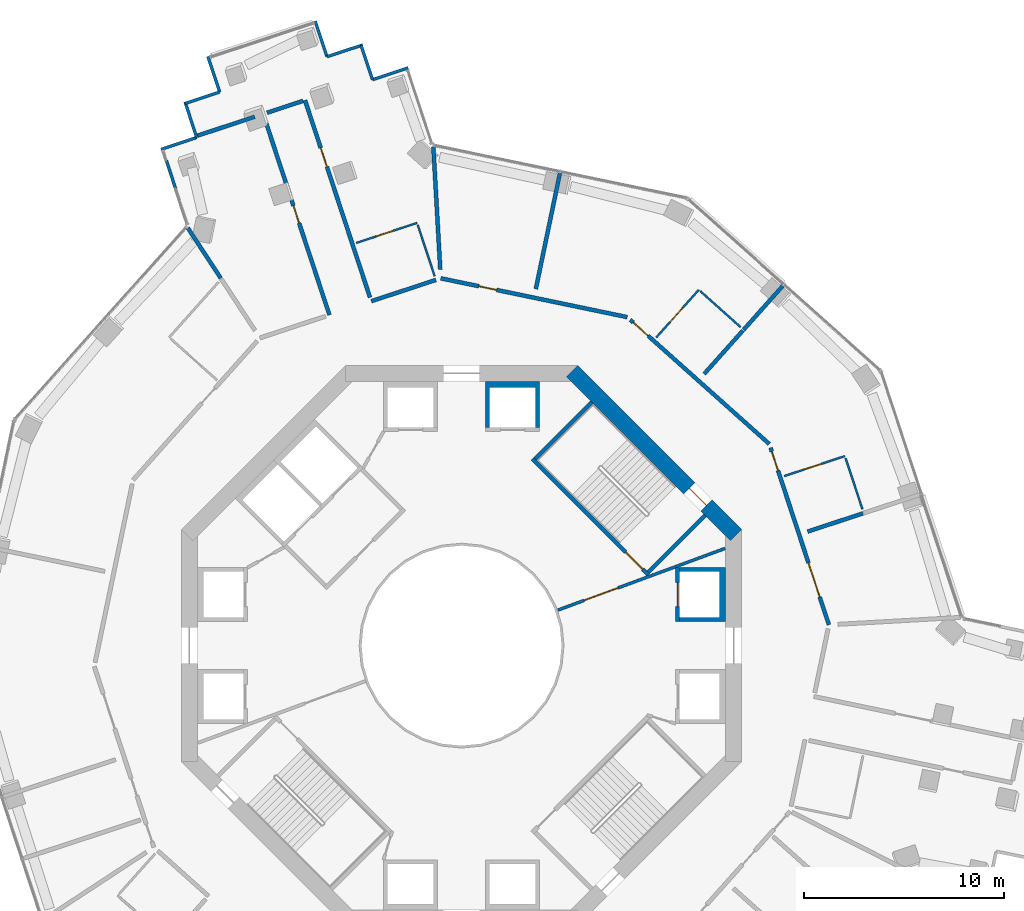
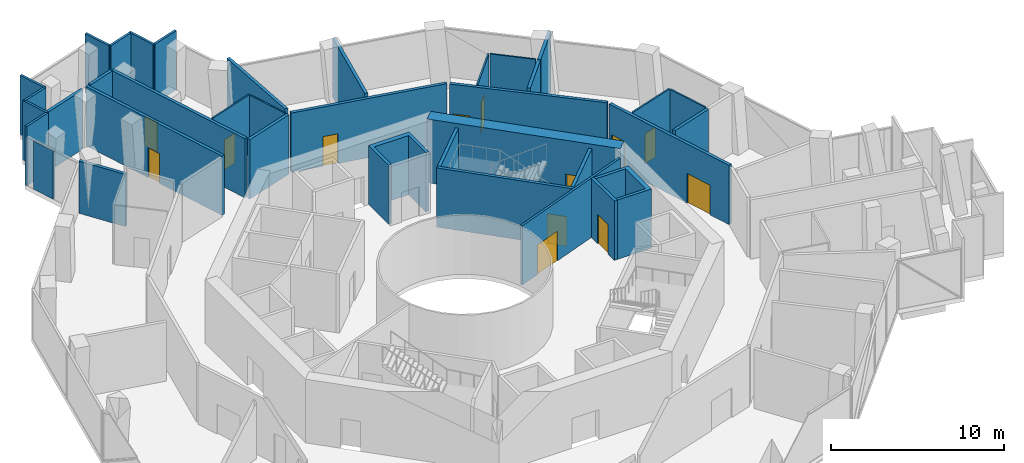
# One storey, part 17 of 21: 37 walls, 13 doors, 13 openings.
"""IFC4 building model written with IfcOpenShell, lengths in metres."""

from ifc_helpers import new_model, si_unit, direction, frame, frame_2d, origin, place, context, subcontext, project, spatial, polyline, rectangle, outline, extrude, material, layer, layer_set, type_object, element, fill, save


model = new_model("IFC4")

# Units and contexts
model_context = context("Model", 3, precision=1e-05, world=origin(), true_north=direction((0.0, 1.0)))
body_context = subcontext(model_context, "Body", "Model", "MODEL_VIEW")
ifc_project = project(units=[si_unit("LENGTHUNIT", "METRE"), si_unit("AREAUNIT", "SQUARE_METRE"), si_unit("VOLUMEUNIT", "CUBIC_METRE"), si_unit("PLANEANGLEUNIT", "RADIAN"), si_unit("MASSUNIT", "GRAM", prefix="KILO")], contexts=[model_context])

# Site, building, storey
site_placement = place(None, origin())
site = spatial("IfcSite", under=ifc_project, at=site_placement, CompositionType="ELEMENT")
building_placement = place(site_placement, origin())
building = spatial("IfcBuilding", under=site, at=building_placement, Name="Verdalira Terraces Hotel", CompositionType="ELEMENT")
storey_placement = place(building_placement, frame((0.0, 0.0, 107.0)))
storey = spatial("IfcBuildingStorey", under=building, at=storey_placement, Name="L25", CompositionType="ELEMENT", Elevation=107.0)

# Wall, opening, door
ifc_material_1 = material(Name="Moisture-resistant gypsum board partition")
ifc_layer_1 = layer(ifc_material_1, 0.10009765625)
ifc_layer_set_1 = layer_set([ifc_layer_1], Name="Bathroom partition 100 mm")
wall_type_1 = type_object("IfcWallType", Name="Bathroom partition 100 mm", PredefinedType="PARTITIONING", material=ifc_layer_set_1)
wall_1_placement = place(storey_placement, frame((-2.223389, 21.123779, 0.0), z_axis=(0.0, 0.0, 1.0), x_axis=(-0.949768639, -0.312952924, 0.0)))
wall_1 = element("IfcWall", 1, at=wall_1_placement, inside=storey, type_object=wall_type_1, Name="Bathroom partition", PredefinedType="PARTITIONING", context=body_context, shape_type="SweptSolid", body=[
    extrude(rectangle(XDim=3.199951, YDim=0.100098, at=frame_2d((1.600098, 0.0))), origin(), (0.0, 0.0, 1.0), 4.189941),
])
opening_1_placement = place(wall_1_placement, frame((1.25, 0.0, 0.0)))
opening_1 = element("IfcOpeningElement", 2, at=opening_1_placement, cuts=wall_1, Name="Opening L25-102", PredefinedType="OPENING", context=body_context, shape_type="SweptSolid", body=[
    extrude(rectangle(XDim=0.899902, YDim=2.100098, at=frame_2d((0.449951, 1.050049))), frame((0.0, 0.060059, 0.0), z_axis=(0.0, -1.0, 0.0), x_axis=(1.0, 0.0, 0.0)), (0.0, 0.0, 1.0), 0.120117),
])
ifc_material_2 = material(Name="Timber door", Category="wood")
door_type_1 = type_object("IfcDoorType", Name="Bathroom door 900 x 2100", OperationType="NOTDEFINED", PredefinedType="DOOR", material=ifc_material_2)
door_1_placement = place(opening_1_placement, origin())
door_1 = element("IfcDoor", 3, at=door_1_placement, inside=storey, type_object=door_type_1, Name="Bathroom door 2501", OperationType="SINGLE_SWING_LEFT", OverallHeight=2.10009765625, OverallWidth=0.89990234375, PredefinedType="DOOR", context=body_context, shape_type="SweptSolid", body=[
    extrude(rectangle(XDim=0.899902, YDim=2.100098, at=frame_2d((0.449951, 1.050049))), frame((0.0, 0.024902, 0.0), z_axis=(0.0, -1.0, 0.0), x_axis=(1.0, 0.0, 0.0)), (0.0, 0.0, 1.0), 0.050049),
])
fill(opening_1, door_1)

# Wall
wall_2_placement = place(storey_placement, frame((-2.192139, 21.028809, 0.0), z_axis=(0.0, 0.0, 1.0), x_axis=(0.313052071, -0.949735964, 0.0)))
element("IfcWall", 4, at=wall_2_placement, inside=storey, type_object=wall_type_1, Name="Bathroom partition", PredefinedType="PARTITIONING", context=body_context, shape_type="SweptSolid", body=[
    extrude(rectangle(XDim=2.699951, YDim=0.100098, at=frame_2d((1.350098, 0.0))), origin(), (0.0, 0.0, 1.0), 4.189941),
])

# Wall, opening, door
wall_3_placement = place(storey_placement, frame((11.854004, 17.781006, 0.0), z_axis=(0.0, 0.0, 1.0), x_axis=(-0.666000609, -0.745951197, 0.0)))
wall_3 = element("IfcWall", 5, at=wall_3_placement, inside=storey, type_object=wall_type_1, Name="Bathroom partition", PredefinedType="PARTITIONING", context=body_context, shape_type="SweptSolid", body=[
    extrude(rectangle(XDim=3.200195, YDim=0.100098, at=frame_2d((1.600098, 0.0))), origin(), (0.0, 0.0, 1.0), 4.189941),
])
opening_2_placement = place(wall_3_placement, frame((1.25, 0.0, 0.0)))
opening_2 = element("IfcOpeningElement", 6, at=opening_2_placement, cuts=wall_3, Name="Opening L25-121", PredefinedType="OPENING", context=body_context, shape_type="SweptSolid", body=[
    extrude(rectangle(XDim=0.899902, YDim=2.100098, at=frame_2d((0.449951, 1.050049))), frame((0.0, 0.060059, 0.0), z_axis=(0.0, -1.0, 0.0), x_axis=(1.0, 0.0, 0.0)), (0.0, 0.0, 1.0), 0.120117),
])
door_2_placement = place(opening_2_placement, origin())
door_2 = element("IfcDoor", 7, at=door_2_placement, inside=storey, type_object=door_type_1, Name="Bathroom door 2514", OperationType="SINGLE_SWING_LEFT", OverallHeight=2.10009765625, OverallWidth=0.89990234375, PredefinedType="DOOR", context=body_context, shape_type="SweptSolid", body=[
    extrude(rectangle(XDim=0.899902, YDim=2.100098, at=frame_2d((0.449951, 1.050049))), frame((0.0, 0.024902, 0.0), z_axis=(0.0, -1.0, 0.0), x_axis=(1.0, 0.0, 0.0)), (0.0, 0.0, 1.0), 0.050049),
])
fill(opening_2, door_2)

# Wall
wall_4_placement = place(storey_placement, frame((11.928467, 17.714355, 0.0), z_axis=(0.0, 0.0, 1.0), x_axis=(0.74590076, -0.666057097, 0.0)))
element("IfcWall", 8, at=wall_4_placement, inside=storey, type_object=wall_type_1, Name="Bathroom partition", PredefinedType="PARTITIONING", context=body_context, shape_type="SweptSolid", body=[
    extrude(rectangle(XDim=2.699951, YDim=0.100098, at=frame_2d((1.350098, 0.0))), origin(), (0.0, 0.0, 1.0), 4.189941),
])

# Wall, opening, door
wall_5_placement = place(storey_placement, frame((19.15625, 9.47168, 0.0), z_axis=(0.0, 0.0, 1.0), x_axis=(-0.949768639, -0.312952924, 0.0)))
wall_5 = element("IfcWall", 9, at=wall_5_placement, inside=storey, type_object=wall_type_1, Name="Bathroom partition", PredefinedType="PARTITIONING", context=body_context, shape_type="SweptSolid", body=[
    extrude(rectangle(XDim=3.199951, YDim=0.100098, at=frame_2d((1.600098, 0.0))), origin(), (0.0, 0.0, 1.0), 4.189941),
])
opening_3_placement = place(wall_5_placement, frame((1.25, 0.0, 0.0)))
opening_3 = element("IfcOpeningElement", 10, at=opening_3_placement, cuts=wall_5, Name="Opening L25-119", PredefinedType="OPENING", context=body_context, shape_type="SweptSolid", body=[
    extrude(rectangle(XDim=0.899902, YDim=2.100098, at=frame_2d((0.449951, 1.050049))), frame((0.0, 0.060059, 0.0), z_axis=(0.0, -1.0, 0.0), x_axis=(1.0, 0.0, 0.0)), (0.0, 0.0, 1.0), 0.120117),
])
door_3_placement = place(opening_3_placement, origin())
door_3 = element("IfcDoor", 11, at=door_3_placement, inside=storey, type_object=door_type_1, Name="Bathroom door 2513", OperationType="SINGLE_SWING_LEFT", OverallHeight=2.10009765625, OverallWidth=0.89990234375, PredefinedType="DOOR", context=body_context, shape_type="SweptSolid", body=[
    extrude(rectangle(XDim=0.899902, YDim=2.100098, at=frame_2d((0.449951, 1.050049))), frame((0.0, 0.024902, 0.0), z_axis=(0.0, -1.0, 0.0), x_axis=(1.0, 0.0, 0.0)), (0.0, 0.0, 1.0), 0.050049),
])
fill(opening_3, door_3)

# Walls
wall_6_placement = place(storey_placement, frame((19.1875, 9.376709, 0.0), z_axis=(0.0, 0.0, 1.0), x_axis=(0.313052071, -0.949735964, 0.0)))
element("IfcWall", 12, at=wall_6_placement, inside=storey, type_object=wall_type_1, Name="Bathroom partition", PredefinedType="PARTITIONING", context=body_context, shape_type="SweptSolid", body=[
    extrude(rectangle(XDim=2.699951, YDim=0.100098, at=frame_2d((1.350098, 0.0))), origin(), (0.0, 0.0, 1.0), 4.189941),
])
ifc_material_3 = material(Name="Concrete C50", Category="concrete")
ifc_layer_2 = layer(ifc_material_3, 0.199951171875)
ifc_layer_set_2 = layer_set([ifc_layer_2], Name="Core RC wall 200 C50")
wall_type_2 = type_object("IfcWallType", Name="Core RC wall 200 C50", PredefinedType="SOLIDWALL", material=ifc_layer_set_2)
wall_7_placement = place(storey_placement, origin())
element("IfcWall", 13, at=wall_7_placement, inside=storey, type_object=wall_type_2, Name="L25 shaft wall E2", PredefinedType="SOLIDWALL", context=body_context, shape_type="SweptSolid", body=[
    extrude(outline(polyline([(13.199951, 3.899902), (13.199951, 1.199951), (10.899902, 1.199951), (10.899902, 1.399902), (12.899902, 1.399902), (12.899902, 3.699951), (10.899902, 3.699951), (10.899902, 3.899902), (13.199951, 3.899902)])), origin(), (0.0, 0.0, 1.0), 4.189941),
])

# Wall, opening, door
wall_8_placement = place(storey_placement, frame((10.800049, 1.199951, 0.0), z_axis=(0.0, 0.0, 1.0), x_axis=(0.0, 1.0, 0.0)))
wall_8 = element("IfcWall", 14, at=wall_8_placement, inside=storey, type_object=wall_type_2, Name="L25 shaft front wall E2", PredefinedType="SOLIDWALL", context=body_context, shape_type="SweptSolid", body=[
    extrude(rectangle(XDim=2.699951, YDim=0.199951, at=frame_2d((1.350098, 0.0))), origin(), (0.0, 0.0, 1.0), 4.189941),
])
opening_4_placement = place(wall_8_placement, frame((0.75, 0.0, 0.0)))
opening_4 = element("IfcOpeningElement", 15, at=opening_4_placement, cuts=wall_8, Name="Opening LD-L25-802", PredefinedType="OPENING", context=body_context, shape_type="SweptSolid", body=[
    extrude(rectangle(XDim=1.199951, YDim=2.100098, at=frame_2d((0.600098, 1.050049))), frame((0.0, 0.109863, 0.0), z_axis=(0.0, -1.0, 0.0), x_axis=(1.0, 0.0, 0.0)), (0.0, 0.0, 1.0), 0.219971),
])
ifc_material_4 = material(Name="Stainless steel", Category="steel")
door_type_2 = type_object("IfcDoorType", Name="Landing door 1200 x 2100", OperationType="NOTDEFINED", PredefinedType="DOOR", material=ifc_material_4)
door_4_placement = place(opening_4_placement, origin())
door_4 = element("IfcDoor", 16, at=door_4_placement, inside=storey, type_object=door_type_2, Name="Lift landing door LR2 L25", OperationType="DOUBLE_DOOR_SLIDING", OverallHeight=2.10009765625, OverallWidth=1.199951171875, PredefinedType="DOOR", context=body_context, shape_type="SweptSolid", body=[
    extrude(rectangle(XDim=1.199951, YDim=2.100098, at=frame_2d((0.600098, 1.050049))), frame((0.0, 0.024902, 0.0), z_axis=(0.0, -1.0, 0.0), x_axis=(1.0, 0.0, 0.0)), (0.0, 0.0, 1.0), 0.050049),
])
fill(opening_4, door_4)

# Wall
wall_9_placement = place(storey_placement, origin())
element("IfcWall", 17, at=wall_9_placement, inside=storey, type_object=wall_type_2, Name="L25 shaft wall N1", PredefinedType="SOLIDWALL", context=body_context, shape_type="SweptSolid", body=[
    extrude(outline(polyline([(3.899902, 13.199951), (3.899902, 10.899902), (3.699951, 10.899902), (3.699951, 12.899902), (1.399902, 12.899902), (1.399902, 10.899902), (1.199951, 10.899902), (1.199951, 13.199951), (3.899902, 13.199951)])), origin(), (0.0, 0.0, 1.0), 4.189941),
])

# Wall, opening, door
wall_10_placement = place(storey_placement, frame((3.5354, 9.33374, 0.0), z_axis=(0.0, 0.0, 1.0), x_axis=(0.707106781, -0.707106781, 0.0)))
wall_10 = element("IfcWall", 18, at=wall_10_placement, inside=storey, type_object=wall_type_2, Name="L25 stair ST1 front wall", PredefinedType="SOLIDWALL", context=body_context, shape_type="SweptSolid", body=[
    extrude(rectangle(XDim=8.200195, YDim=0.199951, at=frame_2d((4.100098, 0.0))), origin(), (0.0, 0.0, 1.0), 4.189941),
])
opening_5_placement = place(wall_10_placement, frame((6.600098, 0.0, 0.0)))
opening_5 = element("IfcOpeningElement", 19, at=opening_5_placement, cuts=wall_10, Name="Opening L25-809", PredefinedType="OPENING", context=body_context, shape_type="SweptSolid", body=[
    extrude(rectangle(XDim=1.199951, YDim=2.100098, at=frame_2d((0.600098, 1.050049))), frame((0.0, 0.109863, 0.0), z_axis=(0.0, -1.0, 0.0), x_axis=(1.0, 0.0, 0.0)), (0.0, 0.0, 1.0), 0.219971),
])
ifc_material_5 = material(Name="Steel fire door", Category="steel")
door_type_3 = type_object("IfcDoorType", Name="Stair door 1200 x 2100", OperationType="NOTDEFINED", PredefinedType="DOOR", material=ifc_material_5)
door_5_placement = place(opening_5_placement, origin())
door_5 = element("IfcDoor", 20, at=door_5_placement, inside=storey, type_object=door_type_3, Name="Stair door ST1 L25", OperationType="SINGLE_SWING_RIGHT", OverallHeight=2.10009765625, OverallWidth=1.199951171875, PredefinedType="DOOR", context=body_context, shape_type="SweptSolid", body=[
    extrude(rectangle(XDim=1.199951, YDim=2.100098, at=frame_2d((0.600098, 1.050049))), frame((0.0, 0.024902, 0.0), z_axis=(0.0, -1.0, 0.0), x_axis=(1.0, 0.0, 0.0)), (0.0, 0.0, 1.0), 0.050049),
])
fill(opening_5, door_5)

# Walls
for number, where, z_axis, x_axis, name in (
    (21, (9.33374, 3.677002, 0.0), (0.0, 0.0, 1.0), (0.707106781, 0.707106781, 0.0), "L25 stair ST1 end wall 1"),
    (22, (3.677002, 9.33374, 0.0), (0.0, 0.0, 1.0), (0.707106781, 0.707106781, 0.0), "L25 stair ST1 end wall 2"),
):
    element("IfcWall", number, at=place(storey_placement, frame(where, z_axis=z_axis, x_axis=x_axis)), inside=storey, type_object=wall_type_2, Name=name, PredefinedType="SOLIDWALL", context=body_context, shape_type="SweptSolid", body=[
        extrude(rectangle(XDim=4.0, YDim=0.199951, at=frame_2d((2.0, 0.0))), origin(), (0.0, 0.0, 1.0), 4.189941),
    ])

# Wall, opening, door
ifc_material_6 = material(Name="Gypsum board partition")
ifc_layer_3 = layer(ifc_material_6, 0.14990234375)
ifc_layer_set_3 = layer_set([ifc_layer_3], Name="Core partition 150 mm")
wall_type_3 = type_object("IfcWallType", Name="Core partition 150 mm", PredefinedType="PARTITIONING", material=ifc_layer_set_3)
wall_11_placement = place(storey_placement, frame((4.812988, 1.775635, 0.0), z_axis=(0.0, 0.0, 1.0), x_axis=(0.938191915, 0.346115488, 0.0)))
wall_11 = element("IfcWall", 23, at=wall_11_placement, inside=storey, type_object=wall_type_3, Name="Gallery fire partition L25", PredefinedType="PARTITIONING", context=body_context, shape_type="SweptSolid", body=[
    extrude(rectangle(XDim=8.909668, YDim=0.149902, at=frame_2d((4.454834, 0.0))), origin(), (0.0, 0.0, 1.0), 4.189941),
])
opening_6_placement = place(wall_11_placement, frame((1.399902, 0.0, 0.0)))
opening_6 = element("IfcOpeningElement", 24, at=opening_6_placement, cuts=wall_11, Name="Opening L25-824", PredefinedType="OPENING", context=body_context, shape_type="SweptSolid", body=[
    extrude(rectangle(XDim=1.800049, YDim=2.100098, at=frame_2d((0.899902, 1.050049))), frame((0.0, 0.084961, 0.0), z_axis=(0.0, -1.0, 0.0), x_axis=(1.0, 0.0, 0.0)), (0.0, 0.0, 1.0), 0.169922),
])
ifc_material_7 = material(Name="Steel fire door", Category="steel")
door_type_4 = type_object("IfcDoorType", Name="Gallery fire door pair 1800 x 2100", OperationType="NOTDEFINED", PredefinedType="DOOR", material=ifc_material_7)
door_6_placement = place(opening_6_placement, origin())
door_6 = element("IfcDoor", 25, at=door_6_placement, inside=storey, type_object=door_type_4, Name="Door L25 split0", OperationType="DOUBLE_DOOR_SINGLE_SWING", OverallHeight=2.10009765625, OverallWidth=1.800048828125, PredefinedType="DOOR", context=body_context, shape_type="SweptSolid", body=[
    extrude(rectangle(XDim=1.800049, YDim=2.100098, at=frame_2d((0.899902, 1.050049))), frame((0.0, 0.024902, 0.0), z_axis=(0.0, -1.0, 0.0), x_axis=(1.0, 0.0, 0.0)), (0.0, 0.0, 1.0), 0.050049),
])
fill(opening_6, door_6)

ifc_material_8 = material(Name="Concrete C70", Category="concrete")
ifc_layer_4 = layer(ifc_material_8, 0.800048828125)
ifc_layer_set_4 = layer_set([ifc_layer_4], Name="Core wall 800 C70")
wall_type_4 = type_object("IfcWallType", Name="Core wall 800 C70", PredefinedType="SHEAR", material=ifc_layer_set_4)
wall_12_placement = place(storey_placement, frame((13.717285, 5.516113, 0.0), z_axis=(0.0, 0.0, 1.0), x_axis=(-0.707106781, 0.707106781, 0.0)))
wall_12 = element("IfcWall", 26, at=wall_12_placement, inside=storey, type_object=wall_type_4, Name="Core wall CW-L25-2", PredefinedType="SHEAR", context=body_context, shape_type="SweptSolid", body=[
    extrude(rectangle(XDim=11.598145, YDim=0.800049, at=frame_2d((5.799072, 0.0))), origin(), (0.0, 0.0, 1.0), 4.5),
])
opening_7_placement = place(wall_12_placement, frame((2.099121, 0.0, 0.0)))
opening_7 = element("IfcOpeningElement", 27, at=opening_7_placement, cuts=wall_12, Name="Opening L25-816", PredefinedType="OPENING", context=body_context, shape_type="SweptSolid", body=[
    extrude(rectangle(XDim=1.199951, YDim=2.100098, at=frame_2d((0.600098, 1.050049))), frame((0.0, 0.409912, 0.0), z_axis=(0.0, -1.0, 0.0), x_axis=(1.0, 0.0, 0.0)), (0.0, 0.0, 1.0), 0.820068),
])
door_7_placement = place(opening_7_placement, origin())
door_7 = element("IfcDoor", 28, at=door_7_placement, inside=storey, type_object=door_type_3, Name="Stair exit door ST1 L25", OperationType="SINGLE_SWING_LEFT", OverallHeight=2.10009765625, OverallWidth=1.199951171875, PredefinedType="DOOR", context=body_context, shape_type="SweptSolid", body=[
    extrude(rectangle(XDim=1.199951, YDim=2.100098, at=frame_2d((0.600098, 1.050049))), frame((0.0, 0.024902, 0.0), z_axis=(0.0, -1.0, 0.0), x_axis=(1.0, 0.0, 0.0)), (0.0, 0.0, 1.0), 0.050049),
])
fill(opening_7, door_7)

# Walls
ifc_material_9 = material(Name="Fire-rated gypsum board wall")
ifc_layer_5 = layer(ifc_material_9, 0.199951171875)
ifc_layer_set_5 = layer_set([ifc_layer_5], Name="Demising wall 200 mm")
wall_type_5 = type_object("IfcWallType", Name="Demising wall 200 mm", PredefinedType="SOLIDWALL", material=ifc_layer_set_5)
wall_13_placement = place(storey_placement, frame((12.125, 13.580322, 0.0), z_axis=(0.0, 0.0, 1.0), x_axis=(0.666057522, 0.74590038, 0.0)))
element("IfcWall", 29, at=wall_13_placement, inside=storey, type_object=wall_type_5, Name="Demising wall", PredefinedType="SOLIDWALL", context=body_context, shape_type="SweptSolid", body=[
    extrude(rectangle(XDim=2.904785, YDim=0.199951, at=frame_2d((1.452393, 0.0))), origin(), (0.0, 0.0, 1.0), 4.189941),
])
wall_14_placement = place(storey_placement, frame((14.090332, 15.781494, 0.0), z_axis=(0.0, 0.0, 1.0), x_axis=(0.666030561, 0.745924454, 0.0)))
element("IfcWall", 30, at=wall_14_placement, inside=storey, type_object=wall_type_5, Name="Demising wall", PredefinedType="SOLIDWALL", context=body_context, shape_type="SweptSolid", body=[
    extrude(rectangle(XDim=2.951904, YDim=0.199951, at=frame_2d((1.476074, 0.0))), origin(), (0.0, 0.0, 1.0), 4.189941),
])
wall_15_placement = place(storey_placement, frame((17.290771, 5.698242, 0.0), z_axis=(0.0, 0.0, 1.0), x_axis=(0.949753635, 0.312998455, 0.0)))
element("IfcWall", 31, at=wall_15_placement, inside=storey, type_object=wall_type_5, Name="Demising wall", PredefinedType="SOLIDWALL", context=body_context, shape_type="SweptSolid", body=[
    extrude(rectangle(XDim=2.904785, YDim=0.199951, at=frame_2d((1.452393, 0.0))), origin(), (0.0, 0.0, 1.0), 4.189941),
])
ifc_material_10 = material(Name="Fire-rated gypsum board wall")
ifc_layer_6 = layer(ifc_material_10, 0.199951171875)
ifc_layer_set_6 = layer_set([ifc_layer_6], Name="Guest corridor wall 200 mm")
wall_type_6 = type_object("IfcWallType", Name="Guest corridor wall 200 mm", PredefinedType="SOLIDWALL", material=ifc_layer_set_6)
wall_16_placement = place(storey_placement, frame((-7.92041, 27.222168, 0.0), z_axis=(0.0, 0.0, 1.0), x_axis=(-0.949757042, -0.312988116, 0.0)))
element("IfcWall", 32, at=wall_16_placement, inside=storey, type_object=wall_type_6, Name="Guest corridor wall", PredefinedType="SOLIDWALL", context=body_context, shape_type="SweptSolid", body=[
    extrude(rectangle(XDim=1.900146, YDim=0.199951, at=frame_2d((0.950195, 0.0))), origin(), (0.0, 0.0, 1.0), 4.189941),
])

# Wall, opening, door
wall_17_placement = place(storey_placement, frame((-6.603027, 16.521729, 0.0), z_axis=(0.0, 0.0, 1.0), x_axis=(-0.313005391, 0.949751349, 0.0)))
wall_17 = element("IfcWall", 33, at=wall_17_placement, inside=storey, type_object=wall_type_6, Name="Guest corridor wall", PredefinedType="SOLIDWALL", context=body_context, shape_type="SweptSolid", body=[
    extrude(rectangle(XDim=10.575195, YDim=0.199951, at=frame_2d((5.287598, 0.0))), origin(), (0.0, 0.0, 1.0), 4.189941),
])
opening_8_placement = place(wall_17_placement, frame((4.850098, 0.0, 0.0)))
opening_8 = element("IfcOpeningElement", 34, at=opening_8_placement, cuts=wall_17, Name="Opening L25-103", PredefinedType="OPENING", context=body_context, shape_type="SweptSolid", body=[
    extrude(rectangle(XDim=0.899902, YDim=2.100098, at=frame_2d((0.449951, 1.050049))), frame((0.0, 0.109863, 0.0), z_axis=(0.0, -1.0, 0.0), x_axis=(1.0, 0.0, 0.0)), (0.0, 0.0, 1.0), 0.219971),
])
ifc_material_11 = material(Name="Steel fire door", Category="steel")
door_type_5 = type_object("IfcDoorType", Name="Service room door 900 x 2100", OperationType="NOTDEFINED", PredefinedType="DOOR", material=ifc_material_11)
door_8_placement = place(opening_8_placement, origin())
door_8 = element("IfcDoor", 35, at=door_8_placement, inside=storey, type_object=door_type_5, Name="Service room door 2502", OperationType="SINGLE_SWING_LEFT", OverallHeight=2.10009765625, OverallWidth=0.89990234375, PredefinedType="DOOR", context=body_context, shape_type="SweptSolid", body=[
    extrude(rectangle(XDim=0.899902, YDim=2.100098, at=frame_2d((0.449951, 1.050049))), frame((0.0, 0.024902, 0.0), z_axis=(0.0, -1.0, 0.0), x_axis=(1.0, 0.0, 0.0)), (0.0, 0.0, 1.0), 0.050049),
])
fill(opening_8, door_8)

wall_18_placement = place(storey_placement, frame((-7.822998, 27.252197, 0.0), z_axis=(0.0, 0.0, 1.0), x_axis=(0.31300621, -0.949751079, 0.0)))
wall_18 = element("IfcWall", 36, at=wall_18_placement, inside=storey, type_object=wall_type_6, Name="Guest corridor wall", PredefinedType="SOLIDWALL", context=body_context, shape_type="SweptSolid", body=[
    extrude(rectangle(XDim=10.373047, YDim=0.199951, at=frame_2d((5.186523, 0.0))), origin(), (0.0, 0.0, 1.0), 4.189941),
])
opening_9_placement = place(wall_18_placement, frame((2.5, 0.0, 0.0)))
opening_9 = element("IfcOpeningElement", 37, at=opening_9_placement, cuts=wall_18, Name="Opening L25-101", PredefinedType="OPENING", context=body_context, shape_type="SweptSolid", body=[
    extrude(rectangle(XDim=1.0, YDim=2.100098, at=frame_2d((0.5, 1.050049))), frame((0.0, 0.109863, 0.0), z_axis=(0.0, -1.0, 0.0), x_axis=(1.0, 0.0, 0.0)), (0.0, 0.0, 1.0), 0.219971),
])
ifc_material_12 = material(Name="Timber fire door", Category="wood")
door_type_6 = type_object("IfcDoorType", Name="Guest entry door 1000 x 2100", OperationType="NOTDEFINED", PredefinedType="DOOR", material=ifc_material_12)
door_9_placement = place(opening_9_placement, origin())
door_9 = element("IfcDoor", 38, at=door_9_placement, inside=storey, type_object=door_type_6, Name="Guest entry door 2501", OperationType="SINGLE_SWING_LEFT", OverallHeight=2.10009765625, OverallWidth=1.0, PredefinedType="DOOR", context=body_context, shape_type="SweptSolid", body=[
    extrude(rectangle(XDim=1.0, YDim=2.100098, at=frame_2d((0.5, 1.050049))), frame((0.0, 0.024902, 0.0), z_axis=(0.0, -1.0, 0.0), x_axis=(1.0, 0.0, 0.0)), (0.0, 0.0, 1.0), 0.050049),
])
fill(opening_9, door_9)

# Wall
wall_19_placement = place(storey_placement, frame((-1.284424, 18.274414, 0.0), z_axis=(0.0, 0.0, 1.0), x_axis=(-0.94976917, -0.312951311, 0.0)))
element("IfcWall", 39, at=wall_19_placement, inside=storey, type_object=wall_type_6, Name="Guest corridor wall", PredefinedType="SOLIDWALL", context=body_context, shape_type="SweptSolid", body=[
    extrude(rectangle(XDim=3.399658, YDim=0.199951, at=frame_2d((1.699707, 0.0))), origin(), (0.0, 0.0, 1.0), 4.189941),
])

# Wall, opening, door
wall_20_placement = place(storey_placement, frame((-1.039062, 18.355469, 0.0), z_axis=(0.0, 0.0, 1.0), x_axis=(0.979011144, -0.203806722, 0.0)))
wall_20 = element("IfcWall", 40, at=wall_20_placement, inside=storey, type_object=wall_type_6, Name="Guest corridor wall", PredefinedType="SOLIDWALL", context=body_context, shape_type="SweptSolid", body=[
    extrude(rectangle(XDim=9.516113, YDim=0.199951, at=frame_2d((4.758057, 0.0))), origin(), (0.0, 0.0, 1.0), 4.189941),
])
opening_10_placement = place(wall_20_placement, frame((1.949951, 0.0, 0.0)))
opening_10 = element("IfcOpeningElement", 41, at=opening_10_placement, cuts=wall_20, Name="Opening L25-122", PredefinedType="OPENING", context=body_context, shape_type="SweptSolid", body=[
    extrude(rectangle(XDim=0.899902, YDim=2.100098, at=frame_2d((0.449951, 1.050049))), frame((0.0, 0.109863, 0.0), z_axis=(0.0, -1.0, 0.0), x_axis=(1.0, 0.0, 0.0)), (0.0, 0.0, 1.0), 0.219971),
])
door_10_placement = place(opening_10_placement, origin())
door_10 = element("IfcDoor", 42, at=door_10_placement, inside=storey, type_object=door_type_5, Name="Service room door 2515", OperationType="SINGLE_SWING_LEFT", OverallHeight=2.10009765625, OverallWidth=0.89990234375, PredefinedType="DOOR", context=body_context, shape_type="SweptSolid", body=[
    extrude(rectangle(XDim=0.899902, YDim=2.100098, at=frame_2d((0.449951, 1.050049))), frame((0.0, 0.024902, 0.0), z_axis=(0.0, -1.0, 0.0), x_axis=(1.0, 0.0, 0.0)), (0.0, 0.0, 1.0), 0.050049),
])
fill(opening_10, door_10)

wall_21_placement = place(storey_placement, frame((8.42749, 16.282227, 0.0), z_axis=(0.0, 0.0, 1.0), x_axis=(0.745931151, -0.666023061, 0.0)))
wall_21 = element("IfcWall", 43, at=wall_21_placement, inside=storey, type_object=wall_type_6, Name="Guest corridor wall", PredefinedType="SOLIDWALL", context=body_context, shape_type="SweptSolid", body=[
    extrude(rectangle(XDim=9.31543, YDim=0.199951, at=frame_2d((4.657715, 0.0))), origin(), (0.0, 0.0, 1.0), 4.189941),
])
opening_11_placement = place(wall_21_placement, frame((0.199951, 0.0, 0.0)))
opening_11 = element("IfcOpeningElement", 44, at=opening_11_placement, cuts=wall_21, Name="Opening L25-120", PredefinedType="OPENING", context=body_context, shape_type="SweptSolid", body=[
    extrude(rectangle(XDim=1.0, YDim=2.100098, at=frame_2d((0.5, 1.050049))), frame((0.0, 0.109863, 0.0), z_axis=(0.0, -1.0, 0.0), x_axis=(1.0, 0.0, 0.0)), (0.0, 0.0, 1.0), 0.219971),
])
door_11_placement = place(opening_11_placement, origin())
door_11 = element("IfcDoor", 45, at=door_11_placement, inside=storey, type_object=door_type_6, Name="Guest entry door 2514", OperationType="SINGLE_SWING_LEFT", OverallHeight=2.10009765625, OverallWidth=1.0, PredefinedType="DOOR", context=body_context, shape_type="SweptSolid", body=[
    extrude(rectangle(XDim=1.0, YDim=2.100098, at=frame_2d((0.5, 1.050049))), frame((0.0, 0.024902, 0.0), z_axis=(0.0, -1.0, 0.0), x_axis=(1.0, 0.0, 0.0)), (0.0, 0.0, 1.0), 0.050049),
])
fill(opening_11, door_11)

# Wall, openings, doors
wall_22_placement = place(storey_placement, frame((15.439453, 9.887207, 0.0), z_axis=(0.0, 0.0, 1.0), x_axis=(0.313002622, -0.949752262, 0.0)))
wall_22 = element("IfcWall", 46, at=wall_22_placement, inside=storey, type_object=wall_type_6, Name="Guest corridor wall", PredefinedType="SOLIDWALL", context=body_context, shape_type="SweptSolid", body=[
    extrude(rectangle(XDim=9.316162, YDim=0.199951, at=frame_2d((4.658203, 0.0))), origin(), (0.0, 0.0, 1.0), 4.189941),
])
opening_12_placement = place(wall_22_placement, frame((6.057861, 0.0, 0.0)))
opening_12 = element("IfcOpeningElement", 47, at=opening_12_placement, cuts=wall_22, Name="Opening L25-117", PredefinedType="OPENING", context=body_context, shape_type="SweptSolid", body=[
    extrude(rectangle(XDim=1.800049, YDim=2.100098, at=frame_2d((0.899902, 1.050049))), frame((0.0, 0.109863, 0.0), z_axis=(0.0, -1.0, 0.0), x_axis=(1.0, 0.0, 0.0)), (0.0, 0.0, 1.0), 0.219971),
])
opening_13_placement = place(wall_22_placement, frame((0.199951, 0.0, 0.0)))
opening_13 = element("IfcOpeningElement", 48, at=opening_13_placement, cuts=wall_22, Name="Opening L25-118", PredefinedType="OPENING", context=body_context, shape_type="SweptSolid", body=[
    extrude(rectangle(XDim=1.0, YDim=2.100098, at=frame_2d((0.5, 1.050049))), frame((0.0, 0.109863, 0.0), z_axis=(0.0, -1.0, 0.0), x_axis=(1.0, 0.0, 0.0)), (0.0, 0.0, 1.0), 0.219971),
])
door_12_placement = place(opening_13_placement, origin())
door_12 = element("IfcDoor", 49, at=door_12_placement, inside=storey, type_object=door_type_6, Name="Guest entry door 2513", OperationType="SINGLE_SWING_LEFT", OverallHeight=2.10009765625, OverallWidth=1.0, PredefinedType="DOOR", context=body_context, shape_type="SweptSolid", body=[
    extrude(rectangle(XDim=1.0, YDim=2.100098, at=frame_2d((0.5, 1.050049))), frame((0.0, 0.024902, 0.0), z_axis=(0.0, -1.0, 0.0), x_axis=(1.0, 0.0, 0.0)), (0.0, 0.0, 1.0), 0.050049),
])
fill(opening_13, door_12)
ifc_material_13 = material(Name="Timber fire door", Category="wood")
door_type_7 = type_object("IfcDoorType", Name="Public room double door 1800 x 2100", OperationType="NOTDEFINED", PredefinedType="DOOR", material=ifc_material_13)
door_13_placement = place(opening_12_placement, origin())
door_13 = element("IfcDoor", 50, at=door_13_placement, inside=storey, type_object=door_type_7, Name="Public room double door 2512", OperationType="DOUBLE_DOOR_SINGLE_SWING", OverallHeight=2.10009765625, OverallWidth=1.800048828125, PredefinedType="DOOR", context=body_context, shape_type="SweptSolid", body=[
    extrude(rectangle(XDim=1.800049, YDim=2.100098, at=frame_2d((0.899902, 1.050049))), frame((0.0, 0.024902, 0.0), z_axis=(0.0, -1.0, 0.0), x_axis=(1.0, 0.0, 0.0)), (0.0, 0.0, 1.0), 0.050049),
])
fill(opening_12, door_13)

# Walls
ifc_material_14 = material(Name="Fire-rated gypsum board wall")
ifc_layer_7 = layer(ifc_material_14, 0.199951171875)
ifc_layer_set_7 = layer_set([ifc_layer_7], Name="Service room wall 200 mm")
wall_type_7 = type_object("IfcWallType", Name="Service room wall 200 mm", PredefinedType="SOLIDWALL", material=ifc_layer_set_7)
wall_23_placement = place(storey_placement, frame((-13.19165, 25.485107, 0.0), z_axis=(0.0, 0.0, 1.0), x_axis=(0.949758414, 0.312983952, 0.0)))
element("IfcWall", 51, at=wall_23_placement, inside=storey, type_object=wall_type_7, Name="Service room wall", PredefinedType="SOLIDWALL", context=body_context, shape_type="SweptSolid", body=[
    extrude(rectangle(XDim=3.004639, YDim=0.199951, at=frame_2d((1.502441, 0.0))), origin(), (0.0, 0.0, 1.0), 4.189941),
])
wall_24_placement = place(storey_placement, frame((-1.064453, 18.802002, 0.0), z_axis=(0.0, 0.0, 1.0), x_axis=(-0.056497587, 0.998402736, 0.0)))
element("IfcWall", 52, at=wall_24_placement, inside=storey, type_object=wall_type_7, Name="Service room wall", PredefinedType="SOLIDWALL", context=body_context, shape_type="SweptSolid", body=[
    extrude(rectangle(XDim=6.131836, YDim=0.199951, at=frame_2d((3.065918, 0.0))), origin(), (0.0, 0.0, 1.0), 4.189941),
])
wall_25_placement = place(storey_placement, frame((4.913574, 23.602295, 0.0), z_axis=(0.0, 0.0, 1.0), x_axis=(-0.203825422, -0.979007251, 0.0)))
element("IfcWall", 53, at=wall_25_placement, inside=storey, type_object=wall_type_7, Name="Service room wall", PredefinedType="SOLIDWALL", context=body_context, shape_type="SweptSolid", body=[
    extrude(rectangle(XDim=5.902832, YDim=0.199951, at=frame_2d((2.951416, 0.0))), origin(), (0.0, 0.0, 1.0), 4.189941),
])
ifc_material_15 = material(Name="Fire-rated gypsum board wall")
ifc_layer_8 = layer(ifc_material_15, 0.199951171875)
ifc_layer_set_8 = layer_set([ifc_layer_8], Name="Service room wall 200 mm to beam soffit")
wall_type_8 = type_object("IfcWallType", Name="Service room wall 200 mm to beam soffit", PredefinedType="SOLIDWALL", material=ifc_layer_set_8)
wall_26_placement = place(storey_placement, frame((-12.033203, 18.36084, 0.0), z_axis=(0.0, 0.0, 1.0), x_axis=(-0.548210107, 0.836340648, 0.0)))
element("IfcWall", 54, at=wall_26_placement, inside=storey, type_object=wall_type_8, Name="Service room wall", PredefinedType="SOLIDWALL", context=body_context, shape_type="SweptSolid", body=[
    extrude(rectangle(XDim=3.011475, YDim=0.199951, at=frame_2d((1.505859, 0.0))), origin(), (0.0, 0.0, 1.0), 3.689941),
])
ifc_material_16 = material(Name="Terracotta cladding", Category="masonry")
ifc_layer_9 = layer(ifc_material_16, 0.14990234375)
ifc_layer_set_9 = layer_set([ifc_layer_9], Name="Terracotta clad wall 150")
wall_type_9 = type_object("IfcWallType", Name="Terracotta clad wall 150", PredefinedType="SOLIDWALL", material=ifc_layer_set_9)
wall_27_placement = place(storey_placement, frame((-2.671387, 28.873047, 0.0), z_axis=(0.0, 0.0, 1.0), x_axis=(-0.949745606, -0.313022818, 0.0)))
element("IfcWall", 55, at=wall_27_placement, inside=storey, type_object=wall_type_9, Name="Terracotta cladding wall", PredefinedType="SOLIDWALL", context=body_context, shape_type="SweptSolid", body=[
    extrude(rectangle(XDim=1.875, YDim=0.149902, at=frame_2d((0.9375, 0.0))), origin(), (0.0, 0.0, 1.0), 4.189941),
])
wall_28_placement = place(storey_placement, frame((-4.452148, 28.286133, 0.0), z_axis=(0.0, 0.0, 1.0), x_axis=(-0.313011749, 0.949749254, 0.0)))
element("IfcWall", 56, at=wall_28_placement, inside=storey, type_object=wall_type_9, Name="Terracotta cladding wall", PredefinedType="SOLIDWALL", context=body_context, shape_type="SweptSolid", body=[
    extrude(rectangle(XDim=1.800293, YDim=0.149902, at=frame_2d((0.900146, 0.0))), origin(), (0.0, 0.0, 1.0), 4.189941),
])
for number, where, z_axis, x_axis, name in (
    (57, (-4.944336, 30.019287, 0.0), (0.0, 0.0, 1.0), (-0.949745606, -0.313022818, 0.0), "Terracotta cladding wall"),
    (58, (-6.725098, 29.432373, 0.0), (0.0, 0.0, 1.0), (-0.313022818, 0.949745606, 0.0), "Terracotta cladding wall"),
    (59, (-12.678223, 29.444824, 0.0), (0.0, 0.0, 1.0), (0.313022818, -0.949745606, 0.0), "Terracotta cladding wall"),
):
    element("IfcWall", number, at=place(storey_placement, frame(where, z_axis=z_axis, x_axis=x_axis)), inside=storey, type_object=wall_type_9, Name=name, PredefinedType="SOLIDWALL", context=body_context, shape_type="SweptSolid", body=[
        extrude(rectangle(XDim=1.875, YDim=0.149902, at=frame_2d((0.9375, 0.0))), origin(), (0.0, 0.0, 1.0), 4.189941),
    ])
wall_29_placement = place(storey_placement, frame((-12.091309, 27.664062, 0.0), z_axis=(0.0, 0.0, 1.0), x_axis=(-0.949735964, -0.313052071, 0.0)))
element("IfcWall", 60, at=wall_29_placement, inside=storey, type_object=wall_type_9, Name="Terracotta cladding wall", PredefinedType="SOLIDWALL", context=body_context, shape_type="SweptSolid", body=[
    extrude(rectangle(XDim=1.800049, YDim=0.149902, at=frame_2d((0.899902, 0.0))), origin(), (0.0, 0.0, 1.0), 4.189941),
])
wall_30_placement = place(storey_placement, frame((-13.824219, 27.171875, 0.0), z_axis=(0.0, 0.0, 1.0), x_axis=(0.312866666, -0.949797057, 0.0)))
element("IfcWall", 61, at=wall_30_placement, inside=storey, type_object=wall_type_9, Name="Terracotta cladding wall", PredefinedType="SOLIDWALL", context=body_context, shape_type="SweptSolid", body=[
    extrude(rectangle(XDim=1.875244, YDim=0.149902, at=frame_2d((0.9375, 0.0))), origin(), (0.0, 0.0, 1.0), 4.189941),
])
wall_31_placement = place(storey_placement, frame((-13.237549, 25.390869, 0.0), z_axis=(0.0, 0.0, 1.0), x_axis=(-0.94978431, -0.31290536, 0.0)))
element("IfcWall", 62, at=wall_31_placement, inside=storey, type_object=wall_type_9, Name="Terracotta cladding wall", PredefinedType="SOLIDWALL", context=body_context, shape_type="SweptSolid", body=[
    extrude(rectangle(XDim=1.875, YDim=0.149902, at=frame_2d((0.9375, 0.0))), origin(), (0.0, 0.0, 1.0), 4.189941),
])
ifc_material_17 = material(Name="Terracotta cladding", Category="masonry")
ifc_layer_10 = layer(ifc_material_17, 0.14990234375)
ifc_layer_set_10 = layer_set([ifc_layer_10], Name="Terracotta column pier 150")
wall_type_10 = type_object("IfcWallType", Name="Terracotta column pier 150", PredefinedType="SOLIDWALL", material=ifc_layer_set_10)
wall_32_placement = place(storey_placement, frame((-14.757568, 24.25293, 0.0), z_axis=(0.0, 0.0, 1.0), x_axis=(0.312880436, -0.949792521, 0.0)))
element("IfcWall", 63, at=wall_32_placement, inside=storey, type_object=wall_type_10, Name="Terracotta column pier", PredefinedType="SOLIDWALL", context=body_context, shape_type="SweptSolid", body=[
    extrude(rectangle(XDim=1.510742, YDim=0.149902, at=frame_2d((0.755371, 0.0))), origin(), (0.0, 0.0, 1.0), 3.419922),
])

save(model, "model.ifc")
